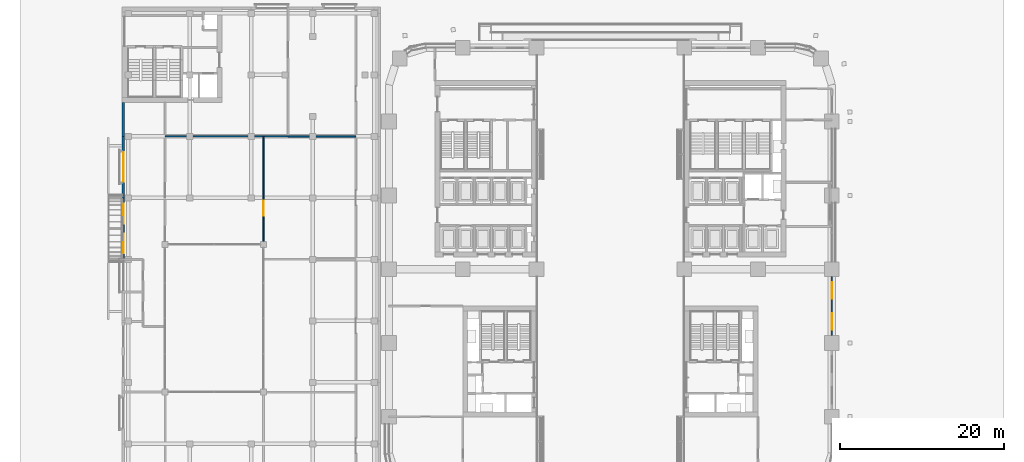
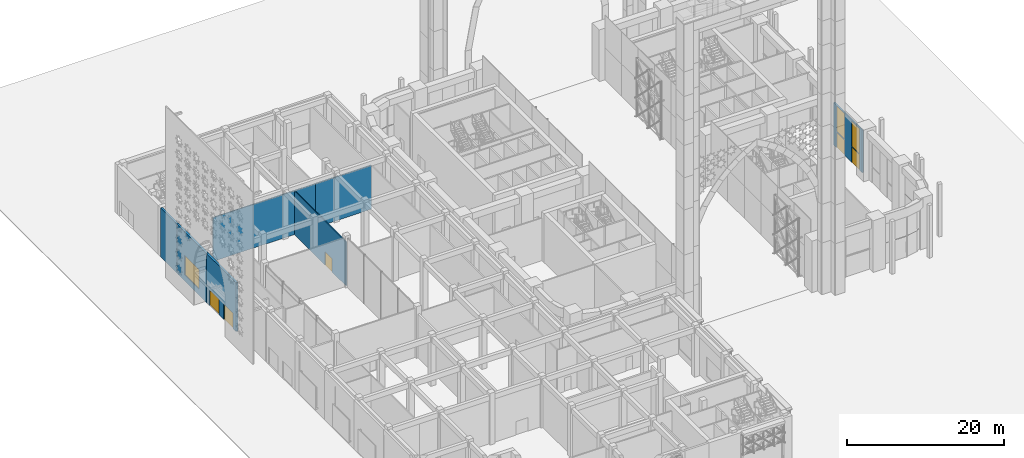
# One storey, part 33 of 64: 7 walls, 5 doors, 3 windows, 8 openings.
"""IFC4 building model written with IfcOpenShell, lengths in metres."""

import ifcopenshell
import ifcopenshell.guid

model = None  # the IFC model being written
_history = None  # IfcOwnerHistory: only IFC2X3 demands one
_inside = {}  # id of a spatial element -> (the spatial element, [elements in it])
_under = {}  # id of a project, library or spatial element -> (it, [spatial elements below it])
_declared = {}  # id of a project -> (the project, [libraries it declares])
_typed = {}  # id of a type object -> (the type object, [elements of that type])
_made_of = {}  # id of a material, layer set ... -> (it, [elements and type objects made of it])


def new_model(schema):
    """Start an empty IFC model of exactly this schema.

    Asked for "IFC4X3", IfcOpenShell would pick the latest addendum, in which some entities
    have other attributes; the version numbers below select the first issue.
    IFC2X3 requires an IfcOwnerHistory on every rooted entity: one is made here for all.
    """
    global model, _history
    if schema == "IFC4X3":
        model = ifcopenshell.file(schema_version=(4, 3, 0, 0))
    else:
        model = ifcopenshell.file(schema=schema)
    _inside.clear()
    _under.clear()
    _declared.clear()
    _typed.clear()
    _made_of.clear()
    _history = None
    if model.schema == "IFC2X3":
        org = make("IfcOrganization", Name="unknown")
        user = make(
            "IfcPersonAndOrganization",
            ThePerson=make("IfcPerson", FamilyName="unknown"),
            TheOrganization=org,
        )
        app = make(
            "IfcApplication",
            ApplicationDeveloper=org,
            Version="unknown",
            ApplicationFullName="unknown",
            ApplicationIdentifier="unknown",
        )
        _history = make(
            "IfcOwnerHistory",
            OwningUser=user,
            OwningApplication=app,
            ChangeAction="ADDED",
            CreationDate=0,
        )
    return model


def make(cls, **values):
    """One entity of the class cls with the attributes given. An attribute that is None is left unset."""
    return model.create_entity(
        cls, **{name: value for name, value in values.items() if value is not None}
    )


def rooted(cls, **values):
    """An entity with a GlobalId (a new one), such as an element, a storey or a relation."""
    return make(cls, GlobalId=ifcopenshell.guid.new(), OwnerHistory=_history, **values)


def si_unit(unit_type, name, prefix=None):
    """IfcSIUnit, for example si_unit("LENGTHUNIT", "METRE", prefix="MILLI")."""
    return make("IfcSIUnit", UnitType=unit_type, Prefix=prefix, Name=name)


def assignment(units):
    """IfcUnitAssignment: the units of a project."""
    return None if units is None else make("IfcUnitAssignment", Units=units)


def point(xyz):
    """IfcCartesianPoint."""
    return None if xyz is None else make("IfcCartesianPoint", Coordinates=xyz)


def direction(xyz):
    """IfcDirection."""
    return None if xyz is None else make("IfcDirection", DirectionRatios=xyz)


def frame(location, z_axis=None, x_axis=None):
    """IfcAxis2Placement3D, a coordinate frame: its origin and axes. An axis left out is left unset."""
    return make(
        "IfcAxis2Placement3D",
        Location=point(location),
        Axis=direction(z_axis),
        RefDirection=direction(x_axis),
    )


def frame_2d(location, x_axis=None):
    """IfcAxis2Placement2D, a coordinate frame in the plane: its origin and x axis."""
    return make(
        "IfcAxis2Placement2D", Location=point(location), RefDirection=direction(x_axis)
    )


def origin():
    """The frame at (0, 0, 0) with its axes left unset."""
    return frame((0.0, 0.0, 0.0))


def place(relative_to, where):
    """IfcLocalPlacement: puts the frame where relative to a parent placement (None: the world)."""
    return make(
        "IfcLocalPlacement", PlacementRelTo=relative_to, RelativePlacement=where
    )


def context(
    kind, dimensions, precision=None, world=None, true_north=None, identifier=None
):
    """IfcGeometricRepresentationContext, for example the 3D "Model" context."""
    return make(
        "IfcGeometricRepresentationContext",
        ContextIdentifier=identifier,
        ContextType=kind,
        CoordinateSpaceDimension=dimensions,
        Precision=precision,
        WorldCoordinateSystem=world,
        TrueNorth=true_north,
    )


def subcontext(parent, identifier, kind, view, scale=None):
    """IfcGeometricRepresentationSubContext, for example "Body" below "Model"."""
    return make(
        "IfcGeometricRepresentationSubContext",
        ContextIdentifier=identifier,
        ContextType=kind,
        ParentContext=parent,
        TargetScale=scale,
        TargetView=view,
    )


def project(units=None, contexts=None):
    """IfcProject with its units and contexts."""
    return rooted(
        "IfcProject",
        Name="project",
        RepresentationContexts=contexts,
        UnitsInContext=assignment(units),
    )


def spatial(cls, under=None, at=None, **own):
    """A site, building, storey or space (cls), placed at a placement, below another one or the project."""
    s = rooted(cls, ObjectPlacement=at, **own)
    if under is not None:
        _under.setdefault(under.id(), (under, []))[1].append(s)
    return s


def profile(cls, at=None, kind="AREA", **sizes):
    """A parametric profile (cls). Its sizes go by their IFC names, for example OverallWidth=200.0."""
    return make(cls, ProfileType=kind, Position=at, **sizes)


def rectangle(**sizes):
    """IfcRectangleProfileDef."""
    return profile("IfcRectangleProfileDef", **sizes)


def extrude(swept, where, along, depth):
    """IfcExtrudedAreaSolid: the profile swept, set in the frame where, extruded along a direction by depth."""
    return make(
        "IfcExtrudedAreaSolid",
        SweptArea=swept,
        Position=where,
        ExtrudedDirection=direction(along),
        Depth=depth,
    )


def shape(context_of_items, identifier, shape_type, items):
    """IfcShapeRepresentation: the items that make up one representation, for example the "Body"."""
    return make(
        "IfcShapeRepresentation",
        ContextOfItems=context_of_items,
        RepresentationIdentifier=identifier,
        RepresentationType=shape_type,
        Items=items,
    )


def material(Name=None, Category=None):
    """IfcMaterial."""
    return make("IfcMaterial", Name=Name, Category=Category)


def layer(
    of_material, thickness, ventilated=None, Name=None, Category=None, Priority=None
):
    """IfcMaterialLayer: one layer of a wall or slab, of a material (None: an air gap)."""
    return make(
        "IfcMaterialLayer",
        Material=of_material,
        LayerThickness=thickness,
        IsVentilated=ventilated,
        Name=Name,
        Category=Category,
        Priority=Priority,
    )


def layer_set(layers, Name=None):
    """IfcMaterialLayerSet."""
    return make("IfcMaterialLayerSet", MaterialLayers=layers, LayerSetName=Name)


def made_of(thing, what):
    """Note that an element or type object is made of a material, layer set ...; save() writes the relation."""
    if what is not None:
        _made_of.setdefault(what.id(), (what, []))[1].append(thing)
    return thing


def type_object(cls, material=None, **own):
    """A type object (cls), such as IfcWallType, which elements share."""
    return made_of(rooted(cls, **own), material)


def element(
    cls,
    number,
    at=None,
    inside=None,
    cuts=None,
    type_object=None,
    material=None,
    context=None,
    identifier="Body",
    shape_type=None,
    held_by="IfcProductDefinitionShape",
    body=None,
    shapes=None,
    **own,
):
    """One element of the class cls, such as IfcWall. Its Tag is "e" and its number.

    at: its placement. inside: the storey or other place that contains it. cuts: it is an
    opening in that element (IfcRelVoidsElement). A single representation is given by context,
    identifier, shape_type and body (its items); several are given by shapes. held_by: the class
    of the entity that holds the representations. save() writes the other relations.
    """
    e = rooted(cls, Tag="e%d" % number, ObjectPlacement=at, **own)
    if body is not None:
        shapes = [shape(context, identifier, shape_type, body)]
    if shapes is not None:
        e.Representation = make(held_by, Representations=shapes)
    if inside is not None:
        _inside.setdefault(inside.id(), (inside, []))[1].append(e)
    if cuts is not None:
        rooted(
            "IfcRelVoidsElement", RelatingBuildingElement=cuts, RelatedOpeningElement=e
        )
    if type_object is not None:
        _typed.setdefault(type_object.id(), (type_object, []))[1].append(e)
    return made_of(e, material)


def fill(opening, filler):
    """IfcRelFillsElement: the door or window that sits in an opening."""
    return rooted(
        "IfcRelFillsElement",
        RelatingOpeningElement=opening,
        RelatedBuildingElement=filler,
    )


def aggregate(whole, parts):
    """IfcRelAggregates: a whole, such as a stair, and the parts it consists of."""
    return rooted("IfcRelAggregates", RelatingObject=whole, RelatedObjects=parts)


def save(model, path):
    """Write the relations noted so far, then the file.

    IfcRelAggregates (storeys below a building ...), IfcRelContainedInSpatialStructure (elements
    in a storey), IfcRelDefinesByType, IfcRelAssociatesMaterial and IfcRelDeclares: one each for
    every whole, place, type object, material and project.
    """
    for whole, parts in _under.values():
        aggregate(whole, parts)
    for where, things in _inside.values():
        rooted(
            "IfcRelContainedInSpatialStructure",
            RelatedElements=things,
            RelatingStructure=where,
        )
    for kind, things in _typed.values():
        rooted("IfcRelDefinesByType", RelatedObjects=things, RelatingType=kind)
    for what, things in _made_of.values():
        rooted("IfcRelAssociatesMaterial", RelatedObjects=things, RelatingMaterial=what)
    for by, libraries in _declared.values():
        rooted("IfcRelDeclares", RelatingContext=by, RelatedDefinitions=libraries)
    model.write(path)


model = new_model("IFC4")

# Units and contexts
model_context = context("Model", 3, precision=1e-05, world=origin(), true_north=direction((0.0, 1.0)))
body_context = subcontext(model_context, "Body", "Model", "MODEL_VIEW")
ifc_project = project(units=[si_unit("LENGTHUNIT", "METRE"), si_unit("AREAUNIT", "SQUARE_METRE"), si_unit("VOLUMEUNIT", "CUBIC_METRE"), si_unit("PLANEANGLEUNIT", "RADIAN"), si_unit("MASSUNIT", "GRAM", prefix="KILO")], contexts=[model_context])

# Site, building, storey
site_placement = place(None, origin())
site = spatial("IfcSite", under=ifc_project, at=site_placement, CompositionType="ELEMENT")
building_placement = place(site_placement, origin())
building = spatial("IfcBuilding", under=site, at=building_placement, Name="Tessera Arch", CompositionType="ELEMENT")
storey_placement = place(building_placement, origin())
storey = spatial("IfcBuildingStorey", under=building, at=storey_placement, Name="L00", CompositionType="ELEMENT", Elevation=0.0)

# Wall
ifc_material_1 = material(Name="Gypsum board on deep steel stud with mineral wool", Category="steel")
ifc_layer_1 = layer(ifc_material_1, 0.175048828125)
ifc_layer_set_1 = layer_set([ifc_layer_1], Name="Corridor wall 175 EI 60")
wall_type_1 = type_object("IfcWallType", Name="Corridor wall 175 EI 60", PredefinedType="PARTITIONING", material=ifc_layer_set_1)
wall_1_placement = place(storey_placement, frame((-12.300048828125, 43.199951171875, 0.0), z_axis=(0.0, 0.0, 1.0), x_axis=(1.0, 0.0, 0.0)))
element("IfcWall", 1, at=wall_1_placement, inside=storey, type_object=wall_type_1, Name="L00 partition 11", PredefinedType="PARTITIONING", context=body_context, shape_type="SweptSolid", body=[
    extrude(rectangle(XDim=8.25, YDim=0.175048828125, at=frame_2d((4.125, 0.0))), origin(), (0.0, 0.0, 1.0), 6.7900390625),
])

# Wall, openings, doors, windows
ifc_material_2 = material(Name="Aluminium cladding pale metal anodised", Category="aluminium")
ifc_layer_2 = layer(ifc_material_2, 0.199951171875)
ifc_layer_set_2 = layer_set([ifc_layer_2], Name="Envelope wall pale metal")
wall_type_2 = type_object("IfcWallType", Name="Envelope wall pale metal", PredefinedType="SOLIDWALL", material=ifc_layer_set_2)
wall_2_placement = place(storey_placement, frame((54.0, 18.89990234375, 0.0), z_axis=(0.0, 0.0, 1.0), x_axis=(0.0, 1.0, 0.0)))
wall_2 = element("IfcWall", 2, at=wall_2_placement, inside=storey, type_object=wall_type_2, Name="Door bay wall E54.0/1 L00", PredefinedType="SOLIDWALL", context=body_context, shape_type="SweptSolid", body=[
    extrude(rectangle(XDim=7.2001953125, YDim=0.199951171875, at=frame_2d((3.60009765625, 0.0))), origin(), (0.0, 0.0, 1.0), 6.590087890625),
])
opening_1_placement = place(wall_2_placement, frame((0.699951171875, 0.0, 0.0)))
opening_1 = element("IfcOpeningElement", 3, at=opening_1_placement, cuts=wall_2, Name="Opening L00-X03", PredefinedType="OPENING", context=body_context, shape_type="SweptSolid", body=[
    extrude(rectangle(XDim=2.0, YDim=2.39990234375, at=frame_2d((1.0, 1.199951171875))), frame((0.0, 0.10986328125, 0.0), z_axis=(0.0, -1.0, 0.0), x_axis=(1.0, 0.0, 0.0)), (0.0, 0.0, 1.0), 0.219970703125),
])
opening_2_placement = place(wall_2_placement, frame((0.699951171875, 0.0, 2.5)))
opening_2 = element("IfcOpeningElement", 4, at=opening_2_placement, cuts=wall_2, Name="Opening L00-FL03", PredefinedType="OPENING", context=body_context, shape_type="SweptSolid", body=[
    extrude(rectangle(XDim=2.0, YDim=3.989990234375, at=frame_2d((1.0, 1.9951171875))), frame((0.0, 0.10986328125, 0.0), z_axis=(0.0, -1.0, 0.0), x_axis=(1.0, 0.0, 0.0)), (0.0, 0.0, 1.0), 0.219970703125),
])
opening_3_placement = place(wall_2_placement, frame((4.5, 0.0, 0.0)))
opening_3 = element("IfcOpeningElement", 5, at=opening_3_placement, cuts=wall_2, Name="Opening L00-X04", PredefinedType="OPENING", context=body_context, shape_type="SweptSolid", body=[
    extrude(rectangle(XDim=2.0, YDim=2.39990234375, at=frame_2d((1.0, 1.199951171875))), frame((0.0, 0.10986328125, 0.0), z_axis=(0.0, -1.0, 0.0), x_axis=(1.0, 0.0, 0.0)), (0.0, 0.0, 1.0), 0.219970703125),
])
opening_4_placement = place(wall_2_placement, frame((4.5, 0.0, 2.5)))
opening_4 = element("IfcOpeningElement", 6, at=opening_4_placement, cuts=wall_2, Name="Opening L00-FL04", PredefinedType="OPENING", context=body_context, shape_type="SweptSolid", body=[
    extrude(rectangle(XDim=2.0, YDim=3.989990234375, at=frame_2d((1.0, 1.9951171875))), frame((0.0, 0.10986328125, 0.0), z_axis=(0.0, -1.0, 0.0), x_axis=(1.0, 0.0, 0.0)), (0.0, 0.0, 1.0), 0.219970703125),
])
ifc_material_3 = material(Name="Aluminium frame and clear glass", Category="aluminium")
door_type_1 = type_object("IfcDoorType", Name="Entrance door glazed double leaf", OperationType="DOUBLE_DOOR_SINGLE_SWING", PredefinedType="DOOR", material=ifc_material_3)
door_1_placement = place(opening_1_placement, origin())
door_1 = element("IfcDoor", 7, at=door_1_placement, inside=storey, type_object=door_type_1, Name="Door L00-X-E54.0/1-1 X03", OperationType="DOUBLE_DOOR_SINGLE_SWING", OverallHeight=2.39990234375, OverallWidth=2.0, PredefinedType="DOOR", context=body_context, shape_type="SweptSolid", body=[
    extrude(rectangle(XDim=2.0, YDim=2.39990234375, at=frame_2d((1.0, 1.199951171875))), frame((0.0, 0.02490234375, 0.0), z_axis=(0.0, -1.0, 0.0), x_axis=(1.0, 0.0, 0.0)), (0.0, 0.0, 1.0), 0.050048828125),
])
fill(opening_1, door_1)
door_2_placement = place(opening_3_placement, origin())
door_2 = element("IfcDoor", 8, at=door_2_placement, inside=storey, type_object=door_type_1, Name="Door L00-X-E54.0/1-2 X04", OperationType="DOUBLE_DOOR_SINGLE_SWING", OverallHeight=2.39990234375, OverallWidth=2.0, PredefinedType="DOOR", context=body_context, shape_type="SweptSolid", body=[
    extrude(rectangle(XDim=2.0, YDim=2.39990234375, at=frame_2d((1.0, 1.199951171875))), frame((0.0, 0.02490234375, 0.0), z_axis=(0.0, -1.0, 0.0), x_axis=(1.0, 0.0, 0.0)), (0.0, 0.0, 1.0), 0.050048828125),
])
fill(opening_3, door_2)
ifc_material_4 = material(Name="Clear low-e glass in aluminium frame", Category="aluminium")
window_type_1 = type_object("IfcWindowType", Name="Fanlight fixed clear glass", PartitioningType="SINGLE_PANEL", PredefinedType="WINDOW", material=ifc_material_4)
window_1_placement = place(opening_2_placement, origin())
window_1 = element("IfcWindow", 9, at=window_1_placement, inside=storey, type_object=window_type_1, Name="Fanlight L00-X-E54.0/1-1", OverallHeight=3.989990234375, OverallWidth=2.0, PartitioningType="SINGLE_PANEL", PredefinedType="WINDOW", context=body_context, shape_type="SweptSolid", body=[
    extrude(rectangle(XDim=2.0, YDim=3.989990234375, at=frame_2d((1.0, 1.9951171875))), frame((0.0, 0.030029296875, 0.0), z_axis=(0.0, -1.0, 0.0), x_axis=(1.0, 0.0, 0.0)), (0.0, 0.0, 1.0), 0.06005859375),
])
fill(opening_2, window_1)
window_2_placement = place(opening_4_placement, origin())
window_2 = element("IfcWindow", 10, at=window_2_placement, inside=storey, type_object=window_type_1, Name="Fanlight L00-X-E54.0/1-2", OverallHeight=3.989990234375, OverallWidth=2.0, PartitioningType="SINGLE_PANEL", PredefinedType="WINDOW", context=body_context, shape_type="SweptSolid", body=[
    extrude(rectangle(XDim=2.0, YDim=3.989990234375, at=frame_2d((1.0, 1.9951171875))), frame((0.0, 0.030029296875, 0.0), z_axis=(0.0, -1.0, 0.0), x_axis=(1.0, 0.0, 0.0)), (0.0, 0.0, 1.0), 0.06005859375),
])
fill(opening_4, window_2)

# Wall
ifc_material_5 = material(Name="Aluminium cladding pale metal anodised", Category="aluminium")
ifc_layer_3 = layer(ifc_material_5, 0.300048828125)
ifc_layer_set_3 = layer_set([ifc_layer_3], Name="Museum envelope wall pale metal")
wall_type_3 = type_object("IfcWallType", Name="Museum envelope wall pale metal", PredefinedType="SOLIDWALL", material=ifc_layer_set_3)
wall_3_placement = place(storey_placement, frame((-32.39990234375, 47.35009765625, 0.0), z_axis=(0.0, 0.0, 1.0), x_axis=(0.0, -1.0, 0.0)))
element("IfcWall", 11, at=wall_3_placement, inside=storey, type_object=wall_type_3, Name="Museum external wall pale metal mashrabiya pattern", PredefinedType="SOLIDWALL", context=body_context, shape_type="SweptSolid", body=[
    extrude(rectangle(XDim=4.150146484375, YDim=0.300048828125, at=frame_2d((2.0751953125, 0.0))), origin(), (0.0, 0.0, 1.0), 7.590087890625),
])

# Wall, opening, window
wall_4_placement = place(storey_placement, frame((-32.39990234375, 43.199951171875, 0.0), z_axis=(0.0, 0.0, 1.0), x_axis=(0.0, -1.0, 0.0)))
wall_4 = element("IfcWall", 12, at=wall_4_placement, inside=storey, type_object=wall_type_3, Name="Museum external wall pale metal mashrabiya pattern", PredefinedType="SOLIDWALL", context=body_context, shape_type="SweptSolid", body=[
    extrude(rectangle(XDim=7.5, YDim=0.300048828125, at=frame_2d((3.75, 0.0))), origin(), (0.0, 0.0, 1.0), 7.590087890625),
])
opening_5_placement = place(wall_4_placement, frame((1.949951171875, 0.0, 0.89990234375)))
opening_5 = element("IfcOpeningElement", 13, at=opening_5_placement, cuts=wall_4, Name="Opening L00-MV06", PredefinedType="OPENING", context=body_context, shape_type="SweptSolid", body=[
    extrude(rectangle(XDim=3.60009765625, YDim=3.0, at=frame_2d((1.800048828125, 1.5))), frame((0.0, 0.159912109375, 0.0), z_axis=(0.0, -1.0, 0.0), x_axis=(1.0, 0.0, 0.0)), (0.0, 0.0, 1.0), 0.320068359375),
])
ifc_material_6 = material(Name="Clear low-e glass in aluminium frame", Category="aluminium")
window_type_2 = type_object("IfcWindowType", Name="Museum window fixed clear glass", PartitioningType="SINGLE_PANEL", PredefinedType="WINDOW", material=ifc_material_6)
window_3_placement = place(opening_5_placement, origin())
window_3 = element("IfcWindow", 14, at=window_3_placement, inside=storey, type_object=window_type_2, Name="Museum window L00 6-4", OverallHeight=3.0, OverallWidth=3.60009765625, PartitioningType="SINGLE_PANEL", PredefinedType="WINDOW", context=body_context, shape_type="SweptSolid", body=[
    extrude(rectangle(XDim=3.60009765625, YDim=3.0, at=frame_2d((1.800048828125, 1.5))), frame((0.0, 0.030029296875, 0.0), z_axis=(0.0, -1.0, 0.0), x_axis=(1.0, 0.0, 0.0)), (0.0, 0.0, 1.0), 0.06005859375),
])
fill(opening_5, window_3)

# Wall, openings, doors
wall_5_placement = place(storey_placement, frame((-32.39990234375, 35.699951171875, 0.0), z_axis=(0.0, 0.0, 1.0), x_axis=(0.0, -1.0, 0.0)))
wall_5 = element("IfcWall", 15, at=wall_5_placement, inside=storey, type_object=wall_type_3, Name="Museum external wall pale metal mashrabiya pattern", PredefinedType="SOLIDWALL", context=body_context, shape_type="SweptSolid", body=[
    extrude(rectangle(XDim=7.5, YDim=0.300048828125, at=frame_2d((3.75, 0.0))), origin(), (0.0, 0.0, 1.0), 7.590087890625),
])
opening_6_placement = place(wall_5_placement, frame((4.35009765625, 0.0, 0.0)))
opening_6 = element("IfcOpeningElement", 16, at=opening_6_placement, cuts=wall_5, Name="Opening L00-M04", PredefinedType="OPENING", context=body_context, shape_type="SweptSolid", body=[
    extrude(rectangle(XDim=2.39990234375, YDim=2.39990234375, at=frame_2d((1.199951171875, 1.199951171875))), frame((0.0, 0.159912109375, 0.0), z_axis=(0.0, -1.0, 0.0), x_axis=(1.0, 0.0, 0.0)), (0.0, 0.0, 1.0), 0.320068359375),
])
opening_7_placement = place(wall_5_placement, frame((0.75, 0.0, 0.0)))
opening_7 = element("IfcOpeningElement", 17, at=opening_7_placement, cuts=wall_5, Name="Opening L00-M05", PredefinedType="OPENING", context=body_context, shape_type="SweptSolid", body=[
    extrude(rectangle(XDim=2.39990234375, YDim=2.39990234375, at=frame_2d((1.199951171875, 1.199951171875))), frame((0.0, 0.159912109375, 0.0), z_axis=(0.0, -1.0, 0.0), x_axis=(1.0, 0.0, 0.0)), (0.0, 0.0, 1.0), 0.320068359375),
])
ifc_material_7 = material(Name="Aluminium frame and clear glass", Category="aluminium")
door_type_2 = type_object("IfcDoorType", Name="Museum entrance door sliding automatic", OperationType="SLIDING_TO_LEFT", PredefinedType="DOOR", material=ifc_material_7)
door_3_placement = place(opening_6_placement, origin())
door_3 = element("IfcDoor", 18, at=door_3_placement, inside=storey, type_object=door_type_2, Name="Museum door MX-W-ENT-1 M04", OperationType="SLIDING_TO_LEFT", OverallHeight=2.39990234375, OverallWidth=2.39990234375, PredefinedType="DOOR", context=body_context, shape_type="SweptSolid", body=[
    extrude(rectangle(XDim=2.39990234375, YDim=2.39990234375, at=frame_2d((1.199951171875, 1.199951171875))), frame((0.0, 0.02490234375, 0.0), z_axis=(0.0, -1.0, 0.0), x_axis=(1.0, 0.0, 0.0)), (0.0, 0.0, 1.0), 0.050048828125),
])
fill(opening_6, door_3)
door_4_placement = place(opening_7_placement, origin())
door_4 = element("IfcDoor", 19, at=door_4_placement, inside=storey, type_object=door_type_2, Name="Museum door MX-W-ENT-2 M05", OperationType="SLIDING_TO_LEFT", OverallHeight=2.39990234375, OverallWidth=2.39990234375, PredefinedType="DOOR", context=body_context, shape_type="SweptSolid", body=[
    extrude(rectangle(XDim=2.39990234375, YDim=2.39990234375, at=frame_2d((1.199951171875, 1.199951171875))), frame((0.0, 0.02490234375, 0.0), z_axis=(0.0, -1.0, 0.0), x_axis=(1.0, 0.0, 0.0)), (0.0, 0.0, 1.0), 0.050048828125),
])
fill(opening_7, door_4)

# Wall
ifc_material_8 = material(Name="Gypsum board on steel stud", Category="steel")
ifc_layer_4 = layer(ifc_material_8, 0.14990234375)
ifc_layer_set_4 = layer_set([ifc_layer_4], Name="Partition 150")
wall_type_4 = type_object("IfcWallType", Name="Partition 150", PredefinedType="PARTITIONING", material=ifc_layer_set_4)
wall_6_placement = place(storey_placement, frame((-27.300048828125, 43.199951171875, 0.0), z_axis=(0.0, 0.0, 1.0), x_axis=(1.0, 0.0, 0.0)))
element("IfcWall", 20, at=wall_6_placement, inside=storey, type_object=wall_type_4, Name="L00 partition 27", PredefinedType="PARTITIONING", context=body_context, shape_type="SweptSolid", body=[
    extrude(rectangle(XDim=15.0, YDim=0.14990234375, at=frame_2d((7.5, 0.0))), origin(), (0.0, 0.0, 1.0), 6.7900390625),
])

# Wall, opening, door
wall_7_placement = place(storey_placement, frame((-15.300048828125, 30.0, 0.0), z_axis=(0.0, 0.0, 1.0), x_axis=(0.0, 1.0, 0.0)))
wall_7 = element("IfcWall", 21, at=wall_7_placement, inside=storey, type_object=wall_type_4, Name="L00 partition 29", PredefinedType="PARTITIONING", context=body_context, shape_type="SweptSolid", body=[
    extrude(rectangle(XDim=13.199951171875, YDim=0.14990234375, at=frame_2d((6.60009765625, 0.0))), origin(), (0.0, 0.0, 1.0), 6.7900390625),
])
opening_8_placement = place(wall_7_placement, frame((3.52001953125, 0.0, 0.0)))
opening_8 = element("IfcOpeningElement", 22, at=opening_8_placement, cuts=wall_7, Name="Opening L00-D008", PredefinedType="OPENING", context=body_context, shape_type="SweptSolid", body=[
    extrude(rectangle(XDim=1.800048828125, YDim=2.10009765625, at=frame_2d((0.89990234375, 1.050048828125))), frame((0.0, 0.0849609375, 0.0), z_axis=(0.0, -1.0, 0.0), x_axis=(1.0, 0.0, 0.0)), (0.0, 0.0, 1.0), 0.169921875),
])
ifc_material_9 = material(Name="Timber door leaf", Category="wood")
door_type_3 = type_object("IfcDoorType", Name="Double door 1800 x 2100", OperationType="DOUBLE_DOOR_SINGLE_SWING", PredefinedType="DOOR", material=ifc_material_9)
door_5_placement = place(opening_8_placement, origin())
door_5 = element("IfcDoor", 23, at=door_5_placement, inside=storey, type_object=door_type_3, Name="L00 door D008 type D13", OperationType="DOUBLE_DOOR_SINGLE_SWING", OverallHeight=2.10009765625, OverallWidth=1.800048828125, PredefinedType="DOOR", context=body_context, shape_type="SweptSolid", body=[
    extrude(rectangle(XDim=1.800048828125, YDim=2.10009765625, at=frame_2d((0.89990234375, 1.050048828125))), frame((0.0, 0.02490234375, 0.0), z_axis=(0.0, -1.0, 0.0), x_axis=(1.0, 0.0, 0.0)), (0.0, 0.0, 1.0), 0.050048828125),
])
fill(opening_8, door_5)

save(model, "model.ifc")
